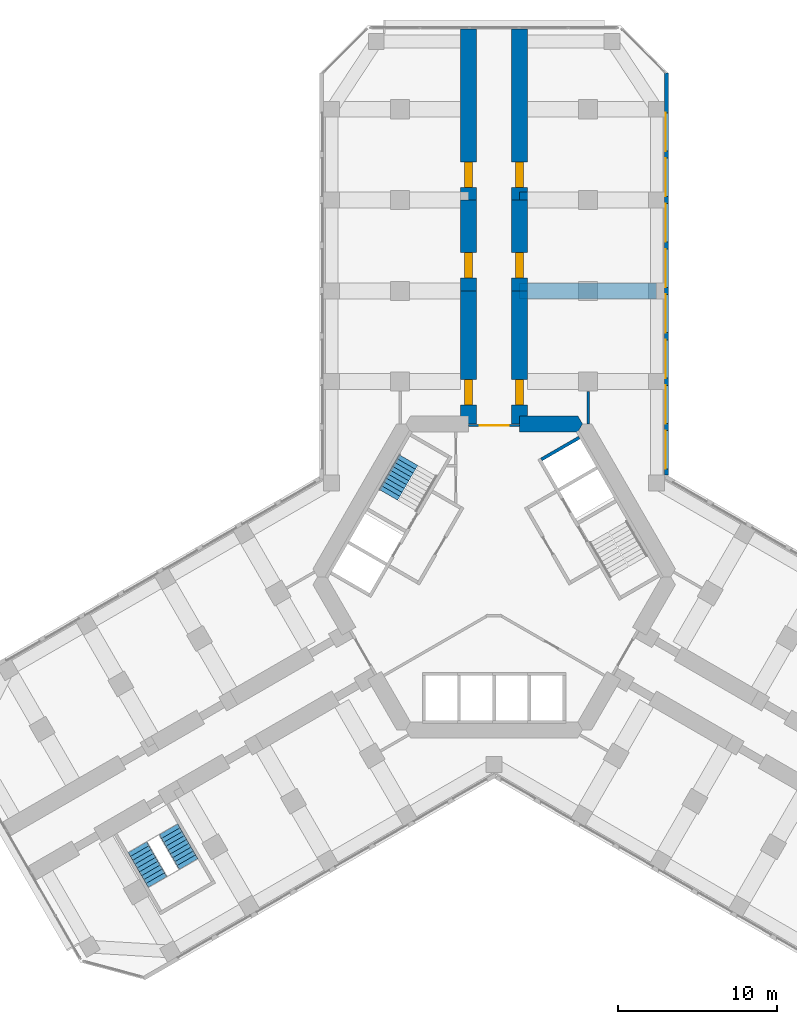
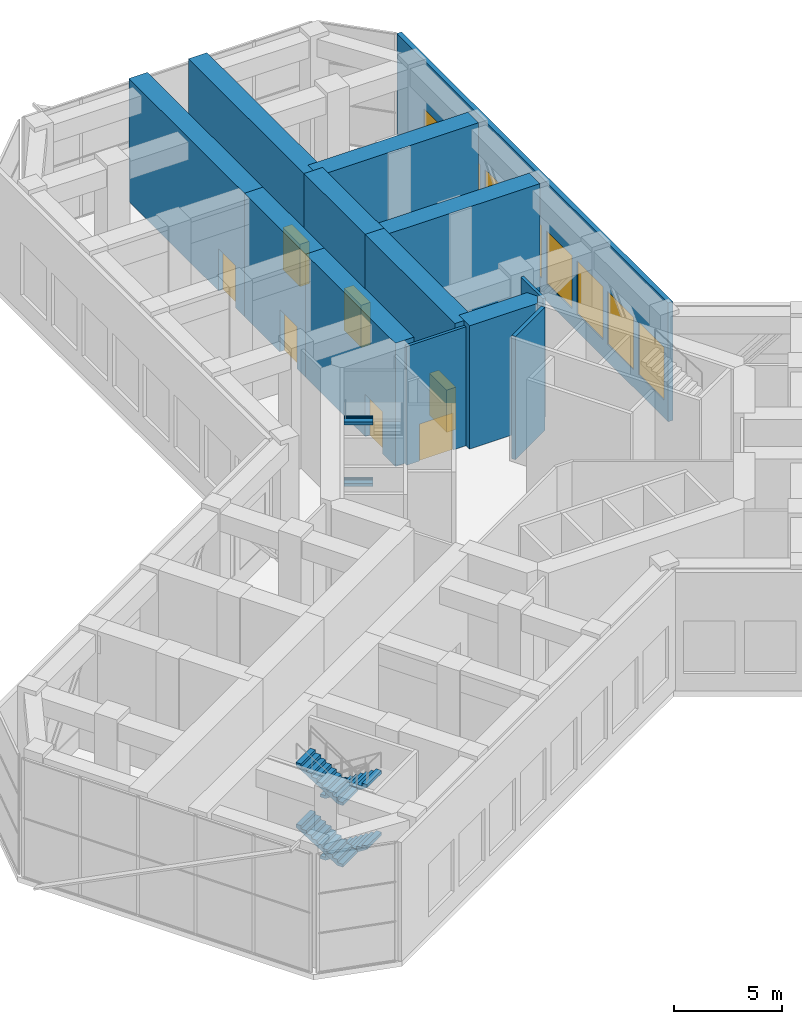
# One storey, part 14 of 17: 13 walls, 8 windows, 7 doors, 6 stair flights, 15 openings, 2 elements without a shape of their own.
"""IFC4 building model written with IfcOpenShell, lengths in metres."""

import ifcopenshell
import ifcopenshell.guid

model = None  # the IFC model being written
_history = None  # IfcOwnerHistory: only IFC2X3 demands one
_inside = {}  # id of a spatial element -> (the spatial element, [elements in it])
_under = {}  # id of a project, library or spatial element -> (it, [spatial elements below it])
_declared = {}  # id of a project -> (the project, [libraries it declares])
_typed = {}  # id of a type object -> (the type object, [elements of that type])
_made_of = {}  # id of a material, layer set ... -> (it, [elements and type objects made of it])


def new_model(schema):
    """Start an empty IFC model of exactly this schema.

    Asked for "IFC4X3", IfcOpenShell would pick the latest addendum, in which some entities
    have other attributes; the version numbers below select the first issue.
    IFC2X3 requires an IfcOwnerHistory on every rooted entity: one is made here for all.
    """
    global model, _history
    if schema == "IFC4X3":
        model = ifcopenshell.file(schema_version=(4, 3, 0, 0))
    else:
        model = ifcopenshell.file(schema=schema)
    _inside.clear()
    _under.clear()
    _declared.clear()
    _typed.clear()
    _made_of.clear()
    _history = None
    if model.schema == "IFC2X3":
        org = make("IfcOrganization", Name="unknown")
        user = make(
            "IfcPersonAndOrganization",
            ThePerson=make("IfcPerson", FamilyName="unknown"),
            TheOrganization=org,
        )
        app = make(
            "IfcApplication",
            ApplicationDeveloper=org,
            Version="unknown",
            ApplicationFullName="unknown",
            ApplicationIdentifier="unknown",
        )
        _history = make(
            "IfcOwnerHistory",
            OwningUser=user,
            OwningApplication=app,
            ChangeAction="ADDED",
            CreationDate=0,
        )
    return model


def make(cls, **values):
    """One entity of the class cls with the attributes given. An attribute that is None is left unset."""
    return model.create_entity(
        cls, **{name: value for name, value in values.items() if value is not None}
    )


def rooted(cls, **values):
    """An entity with a GlobalId (a new one), such as an element, a storey or a relation."""
    return make(cls, GlobalId=ifcopenshell.guid.new(), OwnerHistory=_history, **values)


def si_unit(unit_type, name, prefix=None):
    """IfcSIUnit, for example si_unit("LENGTHUNIT", "METRE", prefix="MILLI")."""
    return make("IfcSIUnit", UnitType=unit_type, Prefix=prefix, Name=name)


def assignment(units):
    """IfcUnitAssignment: the units of a project."""
    return None if units is None else make("IfcUnitAssignment", Units=units)


def point(xyz):
    """IfcCartesianPoint."""
    return None if xyz is None else make("IfcCartesianPoint", Coordinates=xyz)


def direction(xyz):
    """IfcDirection."""
    return None if xyz is None else make("IfcDirection", DirectionRatios=xyz)


def frame(location, z_axis=None, x_axis=None):
    """IfcAxis2Placement3D, a coordinate frame: its origin and axes. An axis left out is left unset."""
    return make(
        "IfcAxis2Placement3D",
        Location=point(location),
        Axis=direction(z_axis),
        RefDirection=direction(x_axis),
    )


def frame_2d(location, x_axis=None):
    """IfcAxis2Placement2D, a coordinate frame in the plane: its origin and x axis."""
    return make(
        "IfcAxis2Placement2D", Location=point(location), RefDirection=direction(x_axis)
    )


def origin():
    """The frame at (0, 0, 0) with its axes left unset."""
    return frame((0.0, 0.0, 0.0))


def place(relative_to, where):
    """IfcLocalPlacement: puts the frame where relative to a parent placement (None: the world)."""
    return make(
        "IfcLocalPlacement", PlacementRelTo=relative_to, RelativePlacement=where
    )


def context(
    kind, dimensions, precision=None, world=None, true_north=None, identifier=None
):
    """IfcGeometricRepresentationContext, for example the 3D "Model" context."""
    return make(
        "IfcGeometricRepresentationContext",
        ContextIdentifier=identifier,
        ContextType=kind,
        CoordinateSpaceDimension=dimensions,
        Precision=precision,
        WorldCoordinateSystem=world,
        TrueNorth=true_north,
    )


def subcontext(parent, identifier, kind, view, scale=None):
    """IfcGeometricRepresentationSubContext, for example "Body" below "Model"."""
    return make(
        "IfcGeometricRepresentationSubContext",
        ContextIdentifier=identifier,
        ContextType=kind,
        ParentContext=parent,
        TargetScale=scale,
        TargetView=view,
    )


def project(units=None, contexts=None):
    """IfcProject with its units and contexts."""
    return rooted(
        "IfcProject",
        Name="project",
        RepresentationContexts=contexts,
        UnitsInContext=assignment(units),
    )


def spatial(cls, under=None, at=None, **own):
    """A site, building, storey or space (cls), placed at a placement, below another one or the project."""
    s = rooted(cls, ObjectPlacement=at, **own)
    if under is not None:
        _under.setdefault(under.id(), (under, []))[1].append(s)
    return s


def polyline(points):
    """IfcPolyline through the points."""
    return make("IfcPolyline", Points=[point(p) for p in points])


def profile(cls, at=None, kind="AREA", **sizes):
    """A parametric profile (cls). Its sizes go by their IFC names, for example OverallWidth=200.0."""
    return make(cls, ProfileType=kind, Position=at, **sizes)


def rectangle(**sizes):
    """IfcRectangleProfileDef."""
    return profile("IfcRectangleProfileDef", **sizes)


def outline(outer, holes=None, kind="AREA"):
    """IfcArbitraryClosedProfileDef: a profile drawn as a closed curve; with holes, ...WithVoids."""
    if holes is None:
        return make("IfcArbitraryClosedProfileDef", ProfileType=kind, OuterCurve=outer)
    return make(
        "IfcArbitraryProfileDefWithVoids",
        ProfileType=kind,
        OuterCurve=outer,
        InnerCurves=holes,
    )


def extrude(swept, where, along, depth):
    """IfcExtrudedAreaSolid: the profile swept, set in the frame where, extruded along a direction by depth."""
    return make(
        "IfcExtrudedAreaSolid",
        SweptArea=swept,
        Position=where,
        ExtrudedDirection=direction(along),
        Depth=depth,
    )


def shape(context_of_items, identifier, shape_type, items):
    """IfcShapeRepresentation: the items that make up one representation, for example the "Body"."""
    return make(
        "IfcShapeRepresentation",
        ContextOfItems=context_of_items,
        RepresentationIdentifier=identifier,
        RepresentationType=shape_type,
        Items=items,
    )


def material(Name=None, Category=None):
    """IfcMaterial."""
    return make("IfcMaterial", Name=Name, Category=Category)


def layer(
    of_material, thickness, ventilated=None, Name=None, Category=None, Priority=None
):
    """IfcMaterialLayer: one layer of a wall or slab, of a material (None: an air gap)."""
    return make(
        "IfcMaterialLayer",
        Material=of_material,
        LayerThickness=thickness,
        IsVentilated=ventilated,
        Name=Name,
        Category=Category,
        Priority=Priority,
    )


def layer_set(layers, Name=None):
    """IfcMaterialLayerSet."""
    return make("IfcMaterialLayerSet", MaterialLayers=layers, LayerSetName=Name)


def made_of(thing, what):
    """Note that an element or type object is made of a material, layer set ...; save() writes the relation."""
    if what is not None:
        _made_of.setdefault(what.id(), (what, []))[1].append(thing)
    return thing


def type_object(cls, material=None, **own):
    """A type object (cls), such as IfcWallType, which elements share."""
    return made_of(rooted(cls, **own), material)


def element(
    cls,
    number,
    at=None,
    inside=None,
    cuts=None,
    type_object=None,
    material=None,
    context=None,
    identifier="Body",
    shape_type=None,
    held_by="IfcProductDefinitionShape",
    body=None,
    shapes=None,
    **own,
):
    """One element of the class cls, such as IfcWall. Its Tag is "e" and its number.

    at: its placement. inside: the storey or other place that contains it. cuts: it is an
    opening in that element (IfcRelVoidsElement). A single representation is given by context,
    identifier, shape_type and body (its items); several are given by shapes. held_by: the class
    of the entity that holds the representations. save() writes the other relations.
    """
    e = rooted(cls, Tag="e%d" % number, ObjectPlacement=at, **own)
    if body is not None:
        shapes = [shape(context, identifier, shape_type, body)]
    if shapes is not None:
        e.Representation = make(held_by, Representations=shapes)
    if inside is not None:
        _inside.setdefault(inside.id(), (inside, []))[1].append(e)
    if cuts is not None:
        rooted(
            "IfcRelVoidsElement", RelatingBuildingElement=cuts, RelatedOpeningElement=e
        )
    if type_object is not None:
        _typed.setdefault(type_object.id(), (type_object, []))[1].append(e)
    return made_of(e, material)


def fill(opening, filler):
    """IfcRelFillsElement: the door or window that sits in an opening."""
    return rooted(
        "IfcRelFillsElement",
        RelatingOpeningElement=opening,
        RelatedBuildingElement=filler,
    )


def aggregate(whole, parts):
    """IfcRelAggregates: a whole, such as a stair, and the parts it consists of."""
    return rooted("IfcRelAggregates", RelatingObject=whole, RelatedObjects=parts)


def save(model, path):
    """Write the relations noted so far, then the file.

    IfcRelAggregates (storeys below a building ...), IfcRelContainedInSpatialStructure (elements
    in a storey), IfcRelDefinesByType, IfcRelAssociatesMaterial and IfcRelDeclares: one each for
    every whole, place, type object, material and project.
    """
    for whole, parts in _under.values():
        aggregate(whole, parts)
    for where, things in _inside.values():
        rooted(
            "IfcRelContainedInSpatialStructure",
            RelatedElements=things,
            RelatingStructure=where,
        )
    for kind, things in _typed.values():
        rooted("IfcRelDefinesByType", RelatedObjects=things, RelatingType=kind)
    for what, things in _made_of.values():
        rooted("IfcRelAssociatesMaterial", RelatedObjects=things, RelatingMaterial=what)
    for by, libraries in _declared.values():
        rooted("IfcRelDeclares", RelatingContext=by, RelatedDefinitions=libraries)
    model.write(path)


model = new_model("IFC4")

# Units and contexts
model_context = context("Model", 3, precision=1e-05, world=origin(), true_north=direction((0.0, 1.0)))
body_context = subcontext(model_context, "Body", "Model", "MODEL_VIEW")
ifc_project = project(units=[si_unit("LENGTHUNIT", "METRE"), si_unit("AREAUNIT", "SQUARE_METRE"), si_unit("VOLUMEUNIT", "CUBIC_METRE"), si_unit("PLANEANGLEUNIT", "RADIAN"), si_unit("MASSUNIT", "GRAM", prefix="KILO")], contexts=[model_context])

# Site, building, storey
site_placement = place(None, origin())
site = spatial("IfcSite", under=ifc_project, at=site_placement, CompositionType="ELEMENT")
building_placement = place(site_placement, origin())
building = spatial("IfcBuilding", under=site, at=building_placement, Name="Kosmar Iwan School Tower", CompositionType="ELEMENT")
storey_placement = place(building_placement, frame((0.0, 0.0, 113.199951171875)))
storey = spatial("IfcBuildingStorey", under=building, at=storey_placement, Name="L28", CompositionType="ELEMENT", Elevation=113.199951171875)

# Wall
ifc_material_1 = material(Name="Concrete C50/60", Category="concrete")
ifc_layer_1 = layer(ifc_material_1, 1.0)
ifc_layer_set_1 = layer_set([ifc_layer_1], Name="Core wall 1000")
wall_type_1 = type_object("IfcWallType", Name="Core wall 1000", PredefinedType="SHEAR", material=ifc_layer_set_1)
wall_1_placement = place(storey_placement, origin())
element("IfcWall", 1, at=wall_1_placement, inside=storey, type_object=wall_type_1, Name="Core wall F090a", PredefinedType="SHEAR", context=body_context, shape_type="SweptSolid", body=[
    extrude(outline(polyline([(1.60009765625, 9.10009765625), (5.25390625, 9.10009765625), (5.54248046875, 9.60009765625), (5.25390625, 10.10009765625), (1.60009765625, 10.10009765625), (1.60009765625, 9.10009765625)])), origin(), (0.0, 0.0, 1.0), 7.0),
])

# Wall, opening, door
ifc_material_2 = material(Name="Concrete C50/60", Category="concrete")
ifc_layer_2 = layer(ifc_material_2, 1.0)
ifc_layer_set_2 = layer_set([ifc_layer_2], Name="Corridor buttress wall 1000")
wall_type_2 = type_object("IfcWallType", Name="Corridor buttress wall 1000", PredefinedType="SHEAR", material=ifc_layer_set_2)
wall_2_placement = place(storey_placement, frame((-1.60009765625, 9.60009765625, 0.0), z_axis=(0.0, 0.0, 1.0), x_axis=(0.0, 1.0, 0.0)))
wall_2 = element("IfcWall", 2, at=wall_2_placement, inside=storey, type_object=wall_type_2, Name="Corridor wall AL", PredefinedType="SHEAR", context=body_context, shape_type="SweptSolid", body=[
    extrude(rectangle(XDim=8.349853515625, YDim=1.0, at=frame_2d((4.1748046875, 0.0))), origin(), (0.0, 0.0, 1.0), 7.0),
])
opening_1_placement = place(wall_2_placement, frame((1.199951171875, 0.0, 0.0)))
opening_1 = element("IfcOpeningElement", 3, at=opening_1_placement, cuts=wall_2, Name="Opening D5", PredefinedType="OPENING", context=body_context, shape_type="SweptSolid", body=[
    extrude(rectangle(XDim=1.60009765625, YDim=2.39990234375, at=frame_2d((0.800048828125, 1.199951171875))), frame((0.0, 0.511962890625, 0.0), z_axis=(0.0, -1.0, 0.0), x_axis=(1.0, 0.0, 0.0)), (0.0, 0.0, 1.0), 1.02392578125),
])
ifc_material_3 = material(Name="Steel fire door", Category="steel")
door_type_1 = type_object("IfcDoorType", Name="Plant room door pair 1600x2400", OperationType="DOUBLE_DOOR_SINGLE_SWING", PredefinedType="DOOR", material=ifc_material_3)
door_1_placement = place(opening_1_placement, origin())
door_1 = element("IfcDoor", 4, at=door_1_placement, inside=storey, type_object=door_type_1, Name="Refuge area door L28-AL1", OperationType="DOUBLE_DOOR_SINGLE_SWING", OverallHeight=2.39990234375, OverallWidth=1.60009765625, PredefinedType="DOOR", context=body_context, shape_type="SweptSolid", body=[
    extrude(rectangle(XDim=1.60009765625, YDim=2.39990234375, at=frame_2d((0.800048828125, 1.199951171875))), frame((0.0, 0.25, 0.0), z_axis=(0.0, -1.0, 0.0), x_axis=(1.0, 0.0, 0.0)), (0.0, 0.0, 1.0), 0.5),
])
fill(opening_1, door_1)

wall_3_placement = place(storey_placement, frame((-1.60009765625, 17.949951171875, 0.0), z_axis=(0.0, 0.0, 1.0), x_axis=(0.0, 1.0, 0.0)))
wall_3 = element("IfcWall", 5, at=wall_3_placement, inside=storey, type_object=wall_type_2, Name="Corridor wall AL bay 2", PredefinedType="SHEAR", context=body_context, shape_type="SweptSolid", body=[
    extrude(rectangle(XDim=5.699951171875, YDim=1.0, at=frame_2d((2.85009765625, 0.0))), origin(), (0.0, 0.0, 1.0), 7.0),
])
opening_2_placement = place(wall_3_placement, frame((0.800048828125, 0.0, 0.0)))
opening_2 = element("IfcOpeningElement", 6, at=opening_2_placement, cuts=wall_3, Name="Opening D5", PredefinedType="OPENING", context=body_context, shape_type="SweptSolid", body=[
    extrude(rectangle(XDim=1.60009765625, YDim=2.39990234375, at=frame_2d((0.800048828125, 1.199951171875))), frame((0.0, 0.511962890625, 0.0), z_axis=(0.0, -1.0, 0.0), x_axis=(1.0, 0.0, 0.0)), (0.0, 0.0, 1.0), 1.02392578125),
])
door_2_placement = place(opening_2_placement, origin())
door_2 = element("IfcDoor", 7, at=door_2_placement, inside=storey, type_object=door_type_1, Name="Chiller plant room door L28-AL2", OperationType="DOUBLE_DOOR_SINGLE_SWING", OverallHeight=2.39990234375, OverallWidth=1.60009765625, PredefinedType="DOOR", context=body_context, shape_type="SweptSolid", body=[
    extrude(rectangle(XDim=1.60009765625, YDim=2.39990234375, at=frame_2d((0.800048828125, 1.199951171875))), frame((0.0, 0.25, 0.0), z_axis=(0.0, -1.0, 0.0), x_axis=(1.0, 0.0, 0.0)), (0.0, 0.0, 1.0), 0.5),
])
fill(opening_2, door_2)

wall_4_placement = place(storey_placement, frame((-1.60009765625, 23.64990234375, 0.0), z_axis=(0.0, 0.0, 1.0), x_axis=(0.0, 1.0, 0.0)))
wall_4 = element("IfcWall", 8, at=wall_4_placement, inside=storey, type_object=wall_type_2, Name="Corridor wall AL bay 3", PredefinedType="SHEAR", context=body_context, shape_type="SweptSolid", body=[
    extrude(rectangle(XDim=10.7451171875, YDim=1.0, at=frame_2d((5.37255859375, 0.0))), origin(), (0.0, 0.0, 1.0), 7.0),
])
opening_3_placement = place(wall_4_placement, frame((0.800048828125, 0.0, 0.0)))
opening_3 = element("IfcOpeningElement", 9, at=opening_3_placement, cuts=wall_4, Name="Opening D5", PredefinedType="OPENING", context=body_context, shape_type="SweptSolid", body=[
    extrude(rectangle(XDim=1.60009765625, YDim=2.39990234375, at=frame_2d((0.800048828125, 1.199951171875))), frame((0.0, 0.511962890625, 0.0), z_axis=(0.0, -1.0, 0.0), x_axis=(1.0, 0.0, 0.0)), (0.0, 0.0, 1.0), 1.02392578125),
])
door_3_placement = place(opening_3_placement, origin())
door_3 = element("IfcDoor", 10, at=door_3_placement, inside=storey, type_object=door_type_1, Name="Pump room door L28-AL3", OperationType="DOUBLE_DOOR_SINGLE_SWING", OverallHeight=2.39990234375, OverallWidth=1.60009765625, PredefinedType="DOOR", context=body_context, shape_type="SweptSolid", body=[
    extrude(rectangle(XDim=1.60009765625, YDim=2.39990234375, at=frame_2d((0.800048828125, 1.199951171875))), frame((0.0, 0.25, 0.0), z_axis=(0.0, -1.0, 0.0), x_axis=(1.0, 0.0, 0.0)), (0.0, 0.0, 1.0), 0.5),
])
fill(opening_3, door_3)

wall_5_placement = place(storey_placement, frame((1.60009765625, 9.60009765625, 0.0), z_axis=(0.0, 0.0, 1.0), x_axis=(0.0, 1.0, 0.0)))
wall_5 = element("IfcWall", 11, at=wall_5_placement, inside=storey, type_object=wall_type_2, Name="Corridor wall AR", PredefinedType="SHEAR", context=body_context, shape_type="SweptSolid", body=[
    extrude(rectangle(XDim=8.349853515625, YDim=1.0, at=frame_2d((4.1748046875, 0.0))), origin(), (0.0, 0.0, 1.0), 7.0),
])
opening_4_placement = place(wall_5_placement, frame((1.199951171875, 0.0, 0.0)))
opening_4 = element("IfcOpeningElement", 12, at=opening_4_placement, cuts=wall_5, Name="Opening D5", PredefinedType="OPENING", context=body_context, shape_type="SweptSolid", body=[
    extrude(rectangle(XDim=1.60009765625, YDim=2.39990234375, at=frame_2d((0.800048828125, 1.199951171875))), frame((0.0, 0.511962890625, 0.0), z_axis=(0.0, -1.0, 0.0), x_axis=(1.0, 0.0, 0.0)), (0.0, 0.0, 1.0), 1.02392578125),
])
door_4_placement = place(opening_4_placement, origin())
door_4 = element("IfcDoor", 13, at=door_4_placement, inside=storey, type_object=door_type_1, Name="Refuge area door L28-AR1", OperationType="DOUBLE_DOOR_SINGLE_SWING", OverallHeight=2.39990234375, OverallWidth=1.60009765625, PredefinedType="DOOR", context=body_context, shape_type="SweptSolid", body=[
    extrude(rectangle(XDim=1.60009765625, YDim=2.39990234375, at=frame_2d((0.800048828125, 1.199951171875))), frame((0.0, 0.25, 0.0), z_axis=(0.0, -1.0, 0.0), x_axis=(1.0, 0.0, 0.0)), (0.0, 0.0, 1.0), 0.5),
])
fill(opening_4, door_4)

wall_6_placement = place(storey_placement, frame((1.60009765625, 17.949951171875, 0.0), z_axis=(0.0, 0.0, 1.0), x_axis=(0.0, 1.0, 0.0)))
wall_6 = element("IfcWall", 14, at=wall_6_placement, inside=storey, type_object=wall_type_2, Name="Corridor wall AR bay 2", PredefinedType="SHEAR", context=body_context, shape_type="SweptSolid", body=[
    extrude(rectangle(XDim=5.699951171875, YDim=1.0, at=frame_2d((2.85009765625, 0.0))), origin(), (0.0, 0.0, 1.0), 7.0),
])
opening_5_placement = place(wall_6_placement, frame((0.800048828125, 0.0, 0.0)))
opening_5 = element("IfcOpeningElement", 15, at=opening_5_placement, cuts=wall_6, Name="Opening D5", PredefinedType="OPENING", context=body_context, shape_type="SweptSolid", body=[
    extrude(rectangle(XDim=1.60009765625, YDim=2.39990234375, at=frame_2d((0.800048828125, 1.199951171875))), frame((0.0, 0.511962890625, 0.0), z_axis=(0.0, -1.0, 0.0), x_axis=(1.0, 0.0, 0.0)), (0.0, 0.0, 1.0), 1.02392578125),
])
door_5_placement = place(opening_5_placement, origin())
door_5 = element("IfcDoor", 16, at=door_5_placement, inside=storey, type_object=door_type_1, Name="Chiller plant room door L28-AR2", OperationType="DOUBLE_DOOR_SINGLE_SWING", OverallHeight=2.39990234375, OverallWidth=1.60009765625, PredefinedType="DOOR", context=body_context, shape_type="SweptSolid", body=[
    extrude(rectangle(XDim=1.60009765625, YDim=2.39990234375, at=frame_2d((0.800048828125, 1.199951171875))), frame((0.0, 0.25, 0.0), z_axis=(0.0, -1.0, 0.0), x_axis=(1.0, 0.0, 0.0)), (0.0, 0.0, 1.0), 0.5),
])
fill(opening_5, door_5)

wall_7_placement = place(storey_placement, frame((1.60009765625, 23.64990234375, 0.0), z_axis=(0.0, 0.0, 1.0), x_axis=(0.0, 1.0, 0.0)))
wall_7 = element("IfcWall", 17, at=wall_7_placement, inside=storey, type_object=wall_type_2, Name="Corridor wall AR bay 3", PredefinedType="SHEAR", context=body_context, shape_type="SweptSolid", body=[
    extrude(rectangle(XDim=10.7451171875, YDim=1.0, at=frame_2d((5.37255859375, 0.0))), origin(), (0.0, 0.0, 1.0), 7.0),
])
opening_6_placement = place(wall_7_placement, frame((0.800048828125, 0.0, 0.0)))
opening_6 = element("IfcOpeningElement", 18, at=opening_6_placement, cuts=wall_7, Name="Opening D5", PredefinedType="OPENING", context=body_context, shape_type="SweptSolid", body=[
    extrude(rectangle(XDim=1.60009765625, YDim=2.39990234375, at=frame_2d((0.800048828125, 1.199951171875))), frame((0.0, 0.511962890625, 0.0), z_axis=(0.0, -1.0, 0.0), x_axis=(1.0, 0.0, 0.0)), (0.0, 0.0, 1.0), 1.02392578125),
])
door_6_placement = place(opening_6_placement, origin())
door_6 = element("IfcDoor", 19, at=door_6_placement, inside=storey, type_object=door_type_1, Name="Pump room door L28-AR3", OperationType="DOUBLE_DOOR_SINGLE_SWING", OverallHeight=2.39990234375, OverallWidth=1.60009765625, PredefinedType="DOOR", context=body_context, shape_type="SweptSolid", body=[
    extrude(rectangle(XDim=1.60009765625, YDim=2.39990234375, at=frame_2d((0.800048828125, 1.199951171875))), frame((0.0, 0.25, 0.0), z_axis=(0.0, -1.0, 0.0), x_axis=(1.0, 0.0, 0.0)), (0.0, 0.0, 1.0), 0.5),
])
fill(opening_6, door_6)

ifc_material_4 = material(Name="Steel framed glazed screen", Category="steel")
ifc_layer_3 = layer(ifc_material_4, 0.14990234375)
ifc_layer_set_3 = layer_set([ifc_layer_3], Name="Corridor screen wall 150")
wall_type_3 = type_object("IfcWallType", Name="Corridor screen wall 150", PredefinedType="PARTITIONING", material=ifc_layer_set_3)
wall_8_placement = place(storey_placement, frame((1.60009765625, 9.5, 0.0), z_axis=(0.0, 0.0, 1.0), x_axis=(-1.0, 0.0, 0.0)))
wall_8 = element("IfcWall", 20, at=wall_8_placement, inside=storey, type_object=wall_type_3, Name="Corridor screen A L28", PredefinedType="PARTITIONING", context=body_context, shape_type="SweptSolid", body=[
    extrude(rectangle(XDim=3.2001953125, YDim=0.14990234375, at=frame_2d((1.60009765625, 0.0))), origin(), (0.0, 0.0, 1.0), 6.75),
])
opening_7_placement = place(wall_8_placement, frame((0.699951171875, 0.0, 0.0)))
opening_7 = element("IfcOpeningElement", 21, at=opening_7_placement, cuts=wall_8, Name="Opening D9", PredefinedType="OPENING", context=body_context, shape_type="SweptSolid", body=[
    extrude(rectangle(XDim=1.800048828125, YDim=2.10009765625, at=frame_2d((0.89990234375, 1.050048828125))), frame((0.0, 0.0869140625, 0.0), z_axis=(0.0, -1.0, 0.0), x_axis=(1.0, 0.0, 0.0)), (0.0, 0.0, 1.0), 0.173828125),
])
ifc_material_5 = material(Name="Steel framed glazed smoke door", Category="steel")
door_type_2 = type_object("IfcDoorType", Name="Corridor smoke door pair 1800x2100", OperationType="DOUBLE_DOOR_DOUBLE_SWING", PredefinedType="DOOR", material=ifc_material_5)
door_7_placement = place(opening_7_placement, origin())
door_7 = element("IfcDoor", 22, at=door_7_placement, inside=storey, type_object=door_type_2, Name="Corridor doors A L28", OperationType="DOUBLE_DOOR_DOUBLE_SWING", OverallHeight=2.10009765625, OverallWidth=1.800048828125, PredefinedType="DOOR", context=body_context, shape_type="SweptSolid", body=[
    extrude(rectangle(XDim=1.800048828125, YDim=2.10009765625, at=frame_2d((0.89990234375, 1.050048828125))), frame((0.0, 0.02490234375, 0.0), z_axis=(0.0, -1.0, 0.0), x_axis=(1.0, 0.0, 0.0)), (0.0, 0.0, 1.0), 0.050048828125),
])
fill(opening_7, door_7)

# Wall, openings, windows
ifc_material_6 = material(Name="Black aluminium rainscreen on insulated framing", Category="aluminium")
ifc_layer_4 = layer(ifc_material_6, 0.25)
ifc_layer_set_4 = layer_set([ifc_layer_4], Name="External wall rainscreen 250")
wall_type_4 = type_object("IfcWallType", Name="External wall rainscreen 250", PredefinedType="SOLIDWALL", material=ifc_layer_set_4)
wall_9_placement = place(storey_placement, frame((10.824951171875, 6.39404296875, 0.0), z_axis=(0.0, 0.0, 1.0), x_axis=(0.0, 1.0, 0.0)))
wall_9 = element("IfcWall", 23, at=wall_9_placement, inside=storey, type_object=wall_type_4, Name="External wall AR L28", PredefinedType="SOLIDWALL", context=body_context, shape_type="SweptSolid", body=[
    extrude(rectangle(XDim=25.2412109375, YDim=0.25, at=frame_2d((12.62060546875, 0.0))), origin(), (0.0, 0.0, 1.0), 6.75),
])
opening_8_placement = place(wall_9_placement, frame((0.380859375, 0.0, 1.0)))
opening_8 = element("IfcOpeningElement", 24, at=opening_8_placement, cuts=wall_9, Name="Opening LV1", PredefinedType="OPENING", context=body_context, shape_type="SweptSolid", body=[
    extrude(rectangle(XDim=2.39990234375, YDim=3.0, at=frame_2d((1.199951171875, 1.5))), frame((0.0, 0.136962890625, 0.0), z_axis=(0.0, -1.0, 0.0), x_axis=(1.0, 0.0, 0.0)), (0.0, 0.0, 1.0), 0.27392578125),
])
opening_9_placement = place(wall_9_placement, frame((3.23095703125, 0.0, 1.0)))
opening_9 = element("IfcOpeningElement", 25, at=opening_9_placement, cuts=wall_9, Name="Opening LV1", PredefinedType="OPENING", context=body_context, shape_type="SweptSolid", body=[
    extrude(rectangle(XDim=2.39990234375, YDim=3.0, at=frame_2d((1.199951171875, 1.5))), frame((0.0, 0.136962890625, 0.0), z_axis=(0.0, -1.0, 0.0), x_axis=(1.0, 0.0, 0.0)), (0.0, 0.0, 1.0), 0.27392578125),
])
opening_10_placement = place(wall_9_placement, frame((6.080810546875, 0.0, 1.0)))
opening_10 = element("IfcOpeningElement", 26, at=opening_10_placement, cuts=wall_9, Name="Opening LV1", PredefinedType="OPENING", context=body_context, shape_type="SweptSolid", body=[
    extrude(rectangle(XDim=2.39990234375, YDim=3.0, at=frame_2d((1.199951171875, 1.5))), frame((0.0, 0.136962890625, 0.0), z_axis=(0.0, -1.0, 0.0), x_axis=(1.0, 0.0, 0.0)), (0.0, 0.0, 1.0), 0.27392578125),
])
opening_11_placement = place(wall_9_placement, frame((8.930908203125, 0.0, 1.0)))
opening_11 = element("IfcOpeningElement", 27, at=opening_11_placement, cuts=wall_9, Name="Opening LV1", PredefinedType="OPENING", context=body_context, shape_type="SweptSolid", body=[
    extrude(rectangle(XDim=2.39990234375, YDim=3.0, at=frame_2d((1.199951171875, 1.5))), frame((0.0, 0.136962890625, 0.0), z_axis=(0.0, -1.0, 0.0), x_axis=(1.0, 0.0, 0.0)), (0.0, 0.0, 1.0), 0.27392578125),
])
opening_12_placement = place(wall_9_placement, frame((11.78076171875, 0.0, 1.0)))
opening_12 = element("IfcOpeningElement", 28, at=opening_12_placement, cuts=wall_9, Name="Opening LV1", PredefinedType="OPENING", context=body_context, shape_type="SweptSolid", body=[
    extrude(rectangle(XDim=2.39990234375, YDim=3.0, at=frame_2d((1.199951171875, 1.5))), frame((0.0, 0.136962890625, 0.0), z_axis=(0.0, -1.0, 0.0), x_axis=(1.0, 0.0, 0.0)), (0.0, 0.0, 1.0), 0.27392578125),
])
opening_13_placement = place(wall_9_placement, frame((14.630859375, 0.0, 1.0)))
opening_13 = element("IfcOpeningElement", 29, at=opening_13_placement, cuts=wall_9, Name="Opening LV1", PredefinedType="OPENING", context=body_context, shape_type="SweptSolid", body=[
    extrude(rectangle(XDim=2.39990234375, YDim=3.0, at=frame_2d((1.199951171875, 1.5))), frame((0.0, 0.136962890625, 0.0), z_axis=(0.0, -1.0, 0.0), x_axis=(1.0, 0.0, 0.0)), (0.0, 0.0, 1.0), 0.27392578125),
])
opening_14_placement = place(wall_9_placement, frame((17.48095703125, 0.0, 1.0)))
opening_14 = element("IfcOpeningElement", 30, at=opening_14_placement, cuts=wall_9, Name="Opening LV1", PredefinedType="OPENING", context=body_context, shape_type="SweptSolid", body=[
    extrude(rectangle(XDim=2.39990234375, YDim=3.0, at=frame_2d((1.199951171875, 1.5))), frame((0.0, 0.136962890625, 0.0), z_axis=(0.0, -1.0, 0.0), x_axis=(1.0, 0.0, 0.0)), (0.0, 0.0, 1.0), 0.27392578125),
])
opening_15_placement = place(wall_9_placement, frame((20.330810546875, 0.0, 1.0)))
opening_15 = element("IfcOpeningElement", 31, at=opening_15_placement, cuts=wall_9, Name="Opening LV1", PredefinedType="OPENING", context=body_context, shape_type="SweptSolid", body=[
    extrude(rectangle(XDim=2.39990234375, YDim=3.0, at=frame_2d((1.199951171875, 1.5))), frame((0.0, 0.136962890625, 0.0), z_axis=(0.0, -1.0, 0.0), x_axis=(1.0, 0.0, 0.0)), (0.0, 0.0, 1.0), 0.27392578125),
])
ifc_material_7 = material(Name="Black aluminium louvre", Category="aluminium")
window_type = type_object("IfcWindowType", Name="Plant louvre 2400x3000", PartitioningType="SINGLE_PANEL", PredefinedType="USERDEFINED", material=ifc_material_7)
window_1_placement = place(opening_8_placement, origin())
window_1 = element("IfcWindow", 32, at=window_1_placement, inside=storey, type_object=window_type, Name="Window AR L28 -1", ObjectType="LOUVRE", OverallHeight=3.0, OverallWidth=2.39990234375, PartitioningType="SINGLE_PANEL", PredefinedType="USERDEFINED", context=body_context, shape_type="SweptSolid", body=[
    extrude(rectangle(XDim=2.39990234375, YDim=3.0, at=frame_2d((1.199951171875, 1.5))), frame((0.0, 0.070068359375, 0.0), z_axis=(0.0, -1.0, 0.0), x_axis=(1.0, 0.0, 0.0)), (0.0, 0.0, 1.0), 0.02001953125),
])
fill(opening_8, window_1)
window_2_placement = place(opening_9_placement, origin())
window_2 = element("IfcWindow", 33, at=window_2_placement, inside=storey, type_object=window_type, Name="Window AR L28 0", ObjectType="LOUVRE", OverallHeight=3.0, OverallWidth=2.39990234375, PartitioningType="SINGLE_PANEL", PredefinedType="USERDEFINED", context=body_context, shape_type="SweptSolid", body=[
    extrude(rectangle(XDim=2.39990234375, YDim=3.0, at=frame_2d((1.199951171875, 1.5))), frame((0.0, 0.070068359375, 0.0), z_axis=(0.0, -1.0, 0.0), x_axis=(1.0, 0.0, 0.0)), (0.0, 0.0, 1.0), 0.02001953125),
])
fill(opening_9, window_2)
window_3_placement = place(opening_10_placement, origin())
window_3 = element("IfcWindow", 34, at=window_3_placement, inside=storey, type_object=window_type, Name="Window AR L28 1", ObjectType="LOUVRE", OverallHeight=3.0, OverallWidth=2.39990234375, PartitioningType="SINGLE_PANEL", PredefinedType="USERDEFINED", context=body_context, shape_type="SweptSolid", body=[
    extrude(rectangle(XDim=2.39990234375, YDim=3.0, at=frame_2d((1.199951171875, 1.5))), frame((0.0, 0.070068359375, 0.0), z_axis=(0.0, -1.0, 0.0), x_axis=(1.0, 0.0, 0.0)), (0.0, 0.0, 1.0), 0.02001953125),
])
fill(opening_10, window_3)
window_4_placement = place(opening_11_placement, origin())
window_4 = element("IfcWindow", 35, at=window_4_placement, inside=storey, type_object=window_type, Name="Window AR L28 2", ObjectType="LOUVRE", OverallHeight=3.0, OverallWidth=2.39990234375, PartitioningType="SINGLE_PANEL", PredefinedType="USERDEFINED", context=body_context, shape_type="SweptSolid", body=[
    extrude(rectangle(XDim=2.39990234375, YDim=3.0, at=frame_2d((1.199951171875, 1.5))), frame((0.0, 0.070068359375, 0.0), z_axis=(0.0, -1.0, 0.0), x_axis=(1.0, 0.0, 0.0)), (0.0, 0.0, 1.0), 0.02001953125),
])
fill(opening_11, window_4)
window_5_placement = place(opening_12_placement, origin())
window_5 = element("IfcWindow", 36, at=window_5_placement, inside=storey, type_object=window_type, Name="Window AR L28 3", ObjectType="LOUVRE", OverallHeight=3.0, OverallWidth=2.39990234375, PartitioningType="SINGLE_PANEL", PredefinedType="USERDEFINED", context=body_context, shape_type="SweptSolid", body=[
    extrude(rectangle(XDim=2.39990234375, YDim=3.0, at=frame_2d((1.199951171875, 1.5))), frame((0.0, 0.070068359375, 0.0), z_axis=(0.0, -1.0, 0.0), x_axis=(1.0, 0.0, 0.0)), (0.0, 0.0, 1.0), 0.02001953125),
])
fill(opening_12, window_5)
window_6_placement = place(opening_13_placement, origin())
window_6 = element("IfcWindow", 37, at=window_6_placement, inside=storey, type_object=window_type, Name="Window AR L28 4", ObjectType="LOUVRE", OverallHeight=3.0, OverallWidth=2.39990234375, PartitioningType="SINGLE_PANEL", PredefinedType="USERDEFINED", context=body_context, shape_type="SweptSolid", body=[
    extrude(rectangle(XDim=2.39990234375, YDim=3.0, at=frame_2d((1.199951171875, 1.5))), frame((0.0, 0.070068359375, 0.0), z_axis=(0.0, -1.0, 0.0), x_axis=(1.0, 0.0, 0.0)), (0.0, 0.0, 1.0), 0.02001953125),
])
fill(opening_13, window_6)
window_7_placement = place(opening_14_placement, origin())
window_7 = element("IfcWindow", 38, at=window_7_placement, inside=storey, type_object=window_type, Name="Window AR L28 5", ObjectType="LOUVRE", OverallHeight=3.0, OverallWidth=2.39990234375, PartitioningType="SINGLE_PANEL", PredefinedType="USERDEFINED", context=body_context, shape_type="SweptSolid", body=[
    extrude(rectangle(XDim=2.39990234375, YDim=3.0, at=frame_2d((1.199951171875, 1.5))), frame((0.0, 0.070068359375, 0.0), z_axis=(0.0, -1.0, 0.0), x_axis=(1.0, 0.0, 0.0)), (0.0, 0.0, 1.0), 0.02001953125),
])
fill(opening_14, window_7)
window_8_placement = place(opening_15_placement, origin())
window_8 = element("IfcWindow", 39, at=window_8_placement, inside=storey, type_object=window_type, Name="Window AR L28 6", ObjectType="LOUVRE", OverallHeight=3.0, OverallWidth=2.39990234375, PartitioningType="SINGLE_PANEL", PredefinedType="USERDEFINED", context=body_context, shape_type="SweptSolid", body=[
    extrude(rectangle(XDim=2.39990234375, YDim=3.0, at=frame_2d((1.199951171875, 1.5))), frame((0.0, 0.070068359375, 0.0), z_axis=(0.0, -1.0, 0.0), x_axis=(1.0, 0.0, 0.0)), (0.0, 0.0, 1.0), 0.02001953125),
])
fill(opening_15, window_8)

# Walls
ifc_material_8 = material(Name="Concrete C50/60", Category="concrete")
ifc_layer_5 = layer(ifc_material_8, 0.199951171875)
ifc_layer_set_5 = layer_set([ifc_layer_5], Name="Lift shaft wall 200")
wall_type_5 = type_object("IfcWallType", Name="Lift shaft wall 200", PredefinedType="SHEAR", material=ifc_layer_set_5)
wall_10_placement = place(storey_placement, frame((2.962646484375, 7.368408203125, 0.0), z_axis=(0.0, 0.0, 1.0), x_axis=(0.866027397988, 0.499996545922, 0.0)))
element("IfcWall", 40, at=wall_10_placement, inside=storey, type_object=wall_type_5, Name="Lift shaft wall AC 2", PredefinedType="SHEAR", context=body_context, shape_type="SweptSolid", body=[
    extrude(rectangle(XDim=2.75, YDim=0.199951171875, at=frame_2d((1.375, 0.0))), origin(), (0.0, 0.0, 1.0), 7.0),
])
ifc_material_9 = material(Name="Concrete C50/60", Category="concrete")
ifc_layer_6 = layer(ifc_material_9, 1.0)
ifc_layer_set_6 = layer_set([ifc_layer_6], Name="Outrigger wall 1000")
wall_type_6 = type_object("IfcWallType", Name="Outrigger wall 1000", PredefinedType="SHEAR", material=ifc_layer_set_6)
for number, where, z_axis, x_axis, name in (
    (41, (1.60009765625, 17.949951171875, 0.0), (0.0, 0.0, 1.0), (1.0, 0.0, 0.0), "Outrigger wall AR"),
    (42, (1.60009765625, 23.64990234375, 0.0), (0.0, 0.0, 1.0), (1.0, 0.0, 0.0), "Outrigger wall AR"),
):
    element("IfcWall", number, at=place(storey_placement, frame(where, z_axis=z_axis, x_axis=x_axis)), inside=storey, type_object=wall_type_6, Name=name, PredefinedType="SHEAR", context=body_context, shape_type="SweptSolid", body=[
        extrude(rectangle(XDim=8.599853515625, YDim=1.0, at=frame_2d((4.2998046875, 0.0))), origin(), (0.0, 0.0, 1.0), 7.0),
    ])
ifc_material_10 = material(Name="Gypsum board on steel studs", Category="steel")
ifc_layer_7 = layer(ifc_material_10, 0.14990234375)
ifc_layer_set_7 = layer_set([ifc_layer_7], Name="School partition 150")
wall_type_7 = type_object("IfcWallType", Name="School partition 150", PredefinedType="PARTITIONING", material=ifc_layer_set_7)
wall_11_placement = place(storey_placement, frame((5.89990234375, 9.60009765625, 0.0), z_axis=(0.0, 0.0, 1.0), x_axis=(0.0, 1.0, 0.0)))
element("IfcWall", 43, at=wall_11_placement, inside=storey, type_object=wall_type_7, Name="Partition L28-AR-NB", PredefinedType="PARTITIONING", context=body_context, shape_type="SweptSolid", body=[
    extrude(rectangle(XDim=2.0498046875, YDim=0.14990234375, at=frame_2d((1.02490234375, 0.0))), origin(), (0.0, 0.0, 1.0), 6.75),
])

# Stair, stair flights
ifc_material_11 = material(Name="Concrete C35/45", Category="concrete")
stair_type_1 = type_object("IfcStairType", Name="Escape stair 3600", PredefinedType="HALF_TURN_STAIR", material=ifc_material_11)
stair_1_placement = place(storey_placement, origin())
stair_1 = element("IfcStair", 44, at=stair_1_placement, inside=storey, type_object=stair_type_1, Name="Stair WS2 L28", PredefinedType="HALF_TURN_STAIR")
ifc_material_12 = material(Name="Concrete C35/45", Category="concrete")
stair_flight_type_1 = type_object("IfcStairFlightType", Name="Escape stair flight 1350", PredefinedType="STRAIGHT", material=ifc_material_12)
stair_flight_1_placement = place(storey_placement, frame((-20.44189453125, -15.843505859375, 0.0), z_axis=(0.0, 0.0, 1.0), x_axis=(0.5, -0.866025403784, 0.0)))
stair_flight_1 = element("IfcStairFlight", 45, at=stair_flight_1_placement, type_object=stair_flight_type_1, Name="WS2 flight 1", NumberOfRisers=10, NumberOfTreads=9, PredefinedType="STRAIGHT", RiserHeight=0.175, TreadLength=0.28, context=body_context, shape_type="SweptSolid", body=[
    extrude(outline(polyline([(0.0, 0.0), (0.0, 0.175048828125), (0.280029296875, 0.175048828125), (0.280029296875, 0.35009765625), (0.56005859375, 0.35009765625), (0.56005859375, 0.52490234375), (0.840087890625, 0.52490234375), (0.840087890625, 0.699951171875), (1.1201171875, 0.699951171875), (1.1201171875, 0.875), (1.39990234375, 0.875), (1.39990234375, 1.050048828125), (1.679931640625, 1.050048828125), (1.679931640625, 1.22509765625), (1.9599609375, 1.22509765625), (1.9599609375, 1.39990234375), (2.239990234375, 1.39990234375), (2.239990234375, 1.574951171875), (2.52001953125, 1.574951171875), (2.52001953125, 1.75), (2.52001953125, 1.398193359375), (0.28271484375, 0.0), (0.0, 0.0)])), frame((0.0, 0.675048828125, 0.0), z_axis=(0.0, -1.0, 0.0), x_axis=(1.0, 0.0, 0.0)), (0.0, 0.0, 1.0), 1.35009765625),
])
stair_flight_2_placement = place(storey_placement, frame((-21.13037109375, -19.15087890625, 1.75), z_axis=(0.0, 0.0, 1.0), x_axis=(-0.5, 0.866025403784, 0.0)))
stair_flight_2 = element("IfcStairFlight", 46, at=stair_flight_2_placement, type_object=stair_flight_type_1, Name="WS2 flight 2", NumberOfRisers=10, NumberOfTreads=9, PredefinedType="STRAIGHT", RiserHeight=0.175, TreadLength=0.28, context=body_context, shape_type="SweptSolid", body=[
    extrude(outline(polyline([(0.0, 0.0), (0.0, 0.175048828125), (0.280029296875, 0.175048828125), (0.280029296875, 0.35009765625), (0.56005859375, 0.35009765625), (0.56005859375, 0.52490234375), (0.840087890625, 0.52490234375), (0.840087890625, 0.699951171875), (1.1201171875, 0.699951171875), (1.1201171875, 0.875), (1.39990234375, 0.875), (1.39990234375, 1.050048828125), (1.679931640625, 1.050048828125), (1.679931640625, 1.22509765625), (1.9599609375, 1.22509765625), (1.9599609375, 1.39990234375), (2.239990234375, 1.39990234375), (2.239990234375, 1.574951171875), (2.52001953125, 1.574951171875), (2.52001953125, 1.75), (2.52001953125, 1.398193359375), (0.28271484375, 0.0), (0.0, 0.0)])), frame((0.0, 0.675048828125, 0.0), z_axis=(0.0, -1.0, 0.0), x_axis=(1.0, 0.0, 0.0)), (0.0, 0.0, 1.0), 1.35009765625),
])
stair_flight_3_placement = place(storey_placement, frame((-20.44189453125, -15.843505859375, 3.5), z_axis=(0.0, 0.0, 1.0), x_axis=(0.5, -0.866025403784, 0.0)))
stair_flight_3 = element("IfcStairFlight", 47, at=stair_flight_3_placement, type_object=stair_flight_type_1, Name="WS2 flight 3", NumberOfRisers=10, NumberOfTreads=9, PredefinedType="STRAIGHT", RiserHeight=0.175, TreadLength=0.28, context=body_context, shape_type="SweptSolid", body=[
    extrude(outline(polyline([(0.0, 0.0), (0.0, 0.175048828125), (0.280029296875, 0.175048828125), (0.280029296875, 0.35009765625), (0.56005859375, 0.35009765625), (0.56005859375, 0.52490234375), (0.840087890625, 0.52490234375), (0.840087890625, 0.699951171875), (1.1201171875, 0.699951171875), (1.1201171875, 0.875), (1.39990234375, 0.875), (1.39990234375, 1.050048828125), (1.679931640625, 1.050048828125), (1.679931640625, 1.22509765625), (1.9599609375, 1.22509765625), (1.9599609375, 1.39990234375), (2.239990234375, 1.39990234375), (2.239990234375, 1.574951171875), (2.52001953125, 1.574951171875), (2.52001953125, 1.75), (2.52001953125, 1.398193359375), (0.28271484375, 0.0), (0.0, 0.0)])), frame((0.0, 0.675048828125, 0.0), z_axis=(0.0, -1.0, 0.0), x_axis=(1.0, 0.0, 0.0)), (0.0, 0.0, 1.0), 1.35009765625),
])
stair_flight_4_placement = place(storey_placement, frame((-21.13037109375, -19.15087890625, 5.25), z_axis=(0.0, 0.0, 1.0), x_axis=(-0.5, 0.866025403784, 0.0)))
stair_flight_4 = element("IfcStairFlight", 48, at=stair_flight_4_placement, type_object=stair_flight_type_1, Name="WS2 flight 4", NumberOfRisers=10, NumberOfTreads=9, PredefinedType="STRAIGHT", RiserHeight=0.175, TreadLength=0.28, context=body_context, shape_type="SweptSolid", body=[
    extrude(outline(polyline([(0.0, 0.0), (0.0, 0.175048828125), (0.280029296875, 0.175048828125), (0.280029296875, 0.35009765625), (0.56005859375, 0.35009765625), (0.56005859375, 0.52490234375), (0.840087890625, 0.52490234375), (0.840087890625, 0.699951171875), (1.1201171875, 0.699951171875), (1.1201171875, 0.875), (1.39990234375, 0.875), (1.39990234375, 1.050048828125), (1.679931640625, 1.050048828125), (1.679931640625, 1.22509765625), (1.9599609375, 1.22509765625), (1.9599609375, 1.39990234375), (2.239990234375, 1.39990234375), (2.239990234375, 1.574951171875), (2.52001953125, 1.574951171875), (2.52001953125, 1.75), (2.52001953125, 1.398193359375), (0.28271484375, 0.0), (0.0, 0.0)])), frame((0.0, 0.675048828125, 0.0), z_axis=(0.0, -1.0, 0.0), x_axis=(1.0, 0.0, 0.0)), (0.0, 0.0, 1.0), 1.35009765625),
])
aggregate(stair_1, [stair_flight_1, stair_flight_2, stair_flight_3, stair_flight_4])

ifc_material_13 = material(Name="Concrete C35/45", Category="concrete")
stair_type_2 = type_object("IfcStairType", Name="Core stair 2750", PredefinedType="HALF_TURN_STAIR", material=ifc_material_13)
stair_2_placement = place(storey_placement, origin())
stair_2 = element("IfcStair", 49, at=stair_2_placement, inside=storey, type_object=stair_type_2, Name="Stair ST2 L28", PredefinedType="HALF_TURN_STAIR")
ifc_material_14 = material(Name="Concrete C35/45", Category="concrete")
stair_flight_type_2 = type_object("IfcStairFlightType", Name="Stair flight 1350", PredefinedType="STRAIGHT", material=ifc_material_14)
stair_flight_5_placement = place(storey_placement, frame((-5.379638671875, 7.33203125, 1.75), z_axis=(0.0, 0.0, 1.0), x_axis=(-0.5, -0.866025403784, 0.0)))
stair_flight_5 = element("IfcStairFlight", 50, at=stair_flight_5_placement, type_object=stair_flight_type_2, Name="ST2 flight 2", NumberOfRisers=10, NumberOfTreads=9, PredefinedType="STRAIGHT", RiserHeight=0.175, TreadLength=0.28, context=body_context, shape_type="SweptSolid", body=[
    extrude(outline(polyline([(0.0, 0.0), (0.0, 0.175048828125), (0.280029296875, 0.175048828125), (0.280029296875, 0.35009765625), (0.56005859375, 0.35009765625), (0.56005859375, 0.52490234375), (0.840087890625, 0.52490234375), (0.840087890625, 0.699951171875), (1.1201171875, 0.699951171875), (1.1201171875, 0.875), (1.39990234375, 0.875), (1.39990234375, 1.050048828125), (1.679931640625, 1.050048828125), (1.679931640625, 1.22509765625), (1.9599609375, 1.22509765625), (1.9599609375, 1.39990234375), (2.239990234375, 1.39990234375), (2.239990234375, 1.574951171875), (2.52001953125, 1.574951171875), (2.52001953125, 1.75), (2.52001953125, 1.398193359375), (0.28271484375, 0.0), (0.0, 0.0)])), frame((0.0, 0.675048828125, 0.0), z_axis=(0.0, -1.0, 0.0), x_axis=(1.0, 0.0, 0.0)), (0.0, 0.0, 1.0), 1.35009765625),
])
stair_flight_6_placement = place(storey_placement, frame((-5.379638671875, 7.33203125, 5.25), z_axis=(0.0, 0.0, 1.0), x_axis=(-0.5, -0.866025403784, 0.0)))
stair_flight_6 = element("IfcStairFlight", 51, at=stair_flight_6_placement, type_object=stair_flight_type_2, Name="ST2 flight 4", NumberOfRisers=10, NumberOfTreads=9, PredefinedType="STRAIGHT", RiserHeight=0.175, TreadLength=0.28, context=body_context, shape_type="SweptSolid", body=[
    extrude(outline(polyline([(0.0, 0.0), (0.0, 0.175048828125), (0.280029296875, 0.175048828125), (0.280029296875, 0.35009765625), (0.56005859375, 0.35009765625), (0.56005859375, 0.52490234375), (0.840087890625, 0.52490234375), (0.840087890625, 0.699951171875), (1.1201171875, 0.699951171875), (1.1201171875, 0.875), (1.39990234375, 0.875), (1.39990234375, 1.050048828125), (1.679931640625, 1.050048828125), (1.679931640625, 1.22509765625), (1.9599609375, 1.22509765625), (1.9599609375, 1.39990234375), (2.239990234375, 1.39990234375), (2.239990234375, 1.574951171875), (2.52001953125, 1.574951171875), (2.52001953125, 1.75), (2.52001953125, 1.398193359375), (0.28271484375, 0.0), (0.0, 0.0)])), frame((0.0, 0.675048828125, 0.0), z_axis=(0.0, -1.0, 0.0), x_axis=(1.0, 0.0, 0.0)), (0.0, 0.0, 1.0), 1.35009765625),
])
aggregate(stair_2, [stair_flight_5, stair_flight_6])

save(model, "model.ifc")
